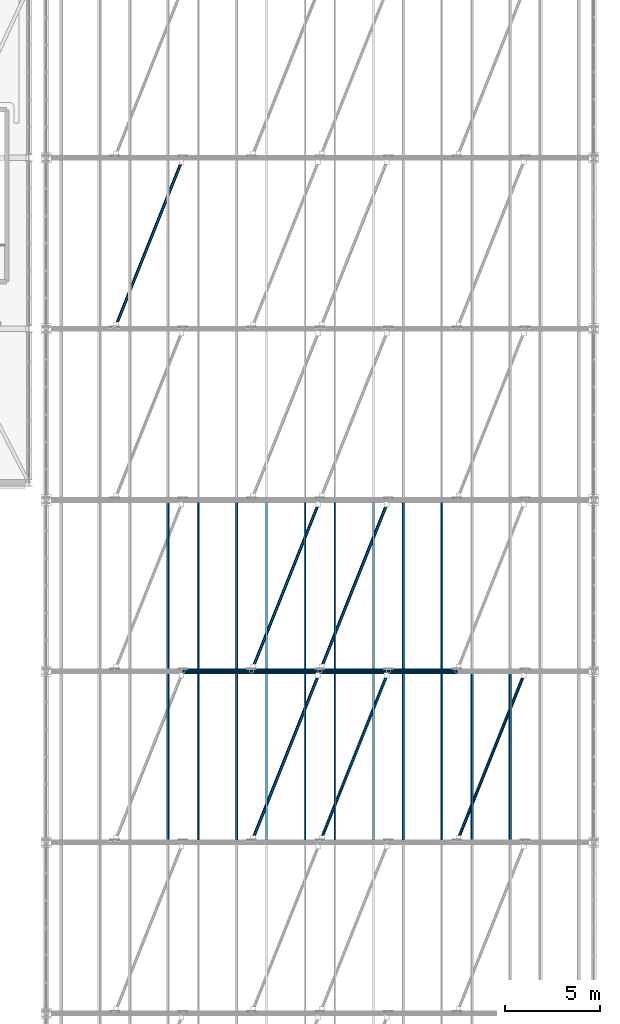
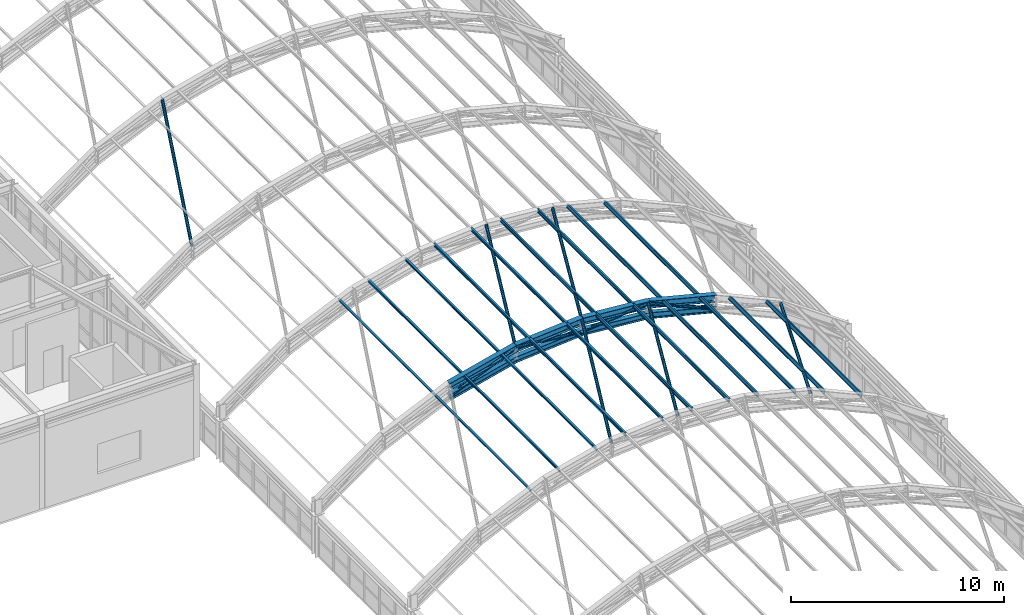
# One storey, part 54 of 121: 34 members, 4 beams.
"""IFC4 building model written with IfcOpenShell, lengths in metres."""

from ifc_helpers import new_model, si_unit, direction, frame, origin, origin_2d, place, context, subcontext, project, spatial, hollow_circle, i_section, extrude, material, material_profile, profile_set, type_object, element, save


model = new_model("IFC4")

# Units and contexts
model_context = context("Model", 3, precision=1e-05, world=origin(), true_north=direction((0.0, 1.0)))
body_context = subcontext(model_context, "Body", "Model", "MODEL_VIEW")
ifc_project = project(units=[si_unit("LENGTHUNIT", "METRE"), si_unit("AREAUNIT", "SQUARE_METRE"), si_unit("VOLUMEUNIT", "CUBIC_METRE"), si_unit("PLANEANGLEUNIT", "RADIAN"), si_unit("MASSUNIT", "GRAM", prefix="KILO")], contexts=[model_context])

# Site, building, storey
site_placement = place(None, origin())
site = spatial("IfcSite", under=ifc_project, at=site_placement, CompositionType="ELEMENT")
building_placement = place(site_placement, origin())
building = spatial("IfcBuilding", under=site, at=building_placement, Name="Canglan Escarpment Cableway Terminal", CompositionType="ELEMENT")
storey_placement = place(building_placement, frame((0.0, 0.0, 24.60009765625)))
storey = spatial("IfcBuildingStorey", under=building, at=storey_placement, Name="L05", CompositionType="ELEMENT", Elevation=24.60009765625)

# Beams
ifc_material = material(Name="Steel Q355B", Category="steel")
ifc_material_profile_1 = material_profile(ifc_material, i_section(OverallWidth=0.300048828125, OverallDepth=0.389892578125, WebThickness=0.010009765625, FlangeThickness=0.01611328125, FilletRadius=0.02197265625, at=origin_2d()), Name="HM 390x300x10x16")
ifc_profile_set_1 = profile_set([ifc_material_profile_1], Name="Steel Q355B")
beam_type = type_object("IfcBeamType", Name="BM-ARCH-TOP-HM390", PredefinedType="BEAM", material=ifc_profile_set_1)
beam_1_placement = place(storey_placement, frame((144.800048828125, 79.0, 7.23828125), z_axis=(0.969179969731, 0.0, 0.246353782743), x_axis=(0.0, 1.0, 0.0)))
element("IfcBeam", 1, at=beam_1_placement, inside=storey, type_object=beam_type, Name="Vault ROOF TRUSS arch top chord AR-TC1", PredefinedType="BEAM", context=body_context, shape_type="SweptSolid", body=[
    extrude(i_section(OverallWidth=0.300048828125, OverallDepth=0.389892578125, WebThickness=0.010009765625, FlangeThickness=0.01611328125, FilletRadius=0.02197265625, at=origin_2d()), origin(), (0.0, 0.0, 1.0), 3.71435546875),
])
for number, where, z_axis, x_axis, name in (
    (2, (148.39990234375, 79.0, 8.1533203125), (0.996622699984, 0.0, 0.082116952426), (0.0, 1.0, 0.0), "Vault ROOF TRUSS arch top chord AR-TC1"),
    (3, (152.0, 79.0, 8.449951171875), (0.996622699984, 0.0, -0.082116952426), (0.0, 1.0, 0.0), "Vault ROOF TRUSS arch top chord AR-TC1"),
):
    element("IfcBeam", number, at=place(storey_placement, frame(where, z_axis=z_axis, x_axis=x_axis)), inside=storey, type_object=beam_type, Name=name, PredefinedType="BEAM", context=body_context, shape_type="SweptSolid", body=[
        extrude(i_section(OverallWidth=0.300048828125, OverallDepth=0.389892578125, WebThickness=0.010009765625, FlangeThickness=0.01611328125, FilletRadius=0.02197265625, at=origin_2d()), origin(), (0.0, 0.0, 1.0), 3.6123046875),
    ])
beam_2_placement = place(storey_placement, frame((155.60009765625, 79.0, 8.1533203125), z_axis=(0.969179969731, 0.0, -0.246353782743), x_axis=(0.0, 1.0, 0.0)))
element("IfcBeam", 4, at=beam_2_placement, inside=storey, type_object=beam_type, Name="Vault ROOF TRUSS arch top chord AR-TC1", PredefinedType="BEAM", context=body_context, shape_type="SweptSolid", body=[
    extrude(i_section(OverallWidth=0.300048828125, OverallDepth=0.389892578125, WebThickness=0.010009765625, FlangeThickness=0.01611328125, FilletRadius=0.02197265625, at=origin_2d()), origin(), (0.0, 0.0, 1.0), 3.71435546875),
])

# Members
ifc_material_profile_2 = material_profile(ifc_material, i_section(OverallWidth=0.25, OverallDepth=0.340087890625, WebThickness=0.009033203125, FlangeThickness=0.013916015625, FilletRadius=0.02001953125, at=origin_2d()), Name="HM 340x250x9x14")
ifc_profile_set_2 = profile_set([ifc_material_profile_2], Name="Steel Q355B")
member_type_1 = type_object("IfcMemberType", Name="MB-ARCH-BOT-HM340", PredefinedType="CHORD", material=ifc_profile_set_2)
member_1_placement = place(storey_placement, frame((144.800048828125, 79.0, 6.58837890625), z_axis=(0.969179969731, 0.0, 0.246353782743), x_axis=(0.0, 1.0, 0.0)))
element("IfcMember", 5, at=member_1_placement, inside=storey, type_object=member_type_1, Name="Vault ROOF TRUSS arch bottom chord AR-BC1", PredefinedType="CHORD", context=body_context, shape_type="SweptSolid", body=[
    extrude(i_section(OverallWidth=0.25, OverallDepth=0.340087890625, WebThickness=0.009033203125, FlangeThickness=0.013916015625, FilletRadius=0.02001953125, at=origin_2d()), origin(), (0.0, 0.0, 1.0), 3.71435546875),
])
for number, where, z_axis, x_axis, name in (
    (6, (148.39990234375, 79.0, 7.50341796875), (0.996628228964, 0.0, 0.082049821644), (0.0, 1.0, 0.0), "Vault ROOF TRUSS arch bottom chord AR-BC1"),
    (7, (152.0, 79.0, 7.7998046875), (0.996628228964, 0.0, -0.082049821644), (0.0, 1.0, 0.0), "Vault ROOF TRUSS arch bottom chord AR-BC1"),
):
    element("IfcMember", number, at=place(storey_placement, frame(where, z_axis=z_axis, x_axis=x_axis)), inside=storey, type_object=member_type_1, Name=name, PredefinedType="CHORD", context=body_context, shape_type="SweptSolid", body=[
        extrude(i_section(OverallWidth=0.25, OverallDepth=0.340087890625, WebThickness=0.009033203125, FlangeThickness=0.013916015625, FilletRadius=0.02001953125, at=origin_2d()), origin(), (0.0, 0.0, 1.0), 3.6123046875),
    ])
member_2_placement = place(storey_placement, frame((155.60009765625, 79.0, 7.50341796875), z_axis=(0.969179969731, 0.0, -0.246353782743), x_axis=(0.0, 1.0, 0.0)))
element("IfcMember", 8, at=member_2_placement, inside=storey, type_object=member_type_1, Name="Vault ROOF TRUSS arch bottom chord AR-BC1", PredefinedType="CHORD", context=body_context, shape_type="SweptSolid", body=[
    extrude(i_section(OverallWidth=0.25, OverallDepth=0.340087890625, WebThickness=0.009033203125, FlangeThickness=0.013916015625, FilletRadius=0.02001953125, at=origin_2d()), origin(), (0.0, 0.0, 1.0), 3.71435546875),
])
ifc_material_profile_3 = material_profile(ifc_material, hollow_circle(Radius=0.084228515625, WallThickness=0.006103515625, at=origin_2d()), Name="CHS 168.3x6")
ifc_profile_set_3 = profile_set([ifc_material_profile_3], Name="Steel Q355B")
member_type_2 = type_object("IfcMemberType", Name="MB-ARCH-DIAG-CHS168", PredefinedType="BRACE", material=ifc_profile_set_3)
member_3_placement = place(storey_placement, frame((144.800048828125, 79.0, 6.58837890625), z_axis=(0.917089831489, 0.0, 0.398680625286), x_axis=(0.0, 1.0, 0.0)))
element("IfcMember", 9, at=member_3_placement, inside=storey, type_object=member_type_2, Name="Vault ROOF TRUSS web diagonal AR-DG1", PredefinedType="BRACE", context=body_context, shape_type="SweptSolid", body=[
    extrude(hollow_circle(Radius=0.084228515625, WallThickness=0.006103515625, at=origin_2d()), origin(), (0.0, 0.0, 1.0), 3.92529296875),
])
for number, where, z_axis, x_axis, name in (
    (10, (148.39990234375, 79.0, 8.1533203125), (0.995213349609, 0.0, -0.097726090481), (0.0, 1.0, 0.0), "Vault ROOF TRUSS web diagonal AR-DG1"),
    (11, (152.0, 79.0, 7.7998046875), (0.995213349609, 0.0, 0.097726090481), (0.0, 1.0, 0.0), "Vault ROOF TRUSS web diagonal AR-DG1"),
):
    element("IfcMember", number, at=place(storey_placement, frame(where, z_axis=z_axis, x_axis=x_axis)), inside=storey, type_object=member_type_2, Name=name, PredefinedType="BRACE", context=body_context, shape_type="SweptSolid", body=[
        extrude(hollow_circle(Radius=0.084228515625, WallThickness=0.006103515625, at=origin_2d()), origin(), (0.0, 0.0, 1.0), 3.617431640625),
    ])
member_4_placement = place(storey_placement, frame((155.60009765625, 79.0, 8.1533203125), z_axis=(0.917089831489, 0.0, -0.398680625286), x_axis=(0.0, 1.0, 0.0)))
element("IfcMember", 12, at=member_4_placement, inside=storey, type_object=member_type_2, Name="Vault ROOF TRUSS web diagonal AR-DG1", PredefinedType="BRACE", context=body_context, shape_type="SweptSolid", body=[
    extrude(hollow_circle(Radius=0.084228515625, WallThickness=0.006103515625, at=origin_2d()), origin(), (0.0, 0.0, 1.0), 3.92529296875),
])
ifc_material_profile_4 = material_profile(ifc_material, hollow_circle(Radius=0.084228515625, WallThickness=0.006103515625, at=origin_2d()), Name="CHS 168.3x6")
ifc_profile_set_4 = profile_set([ifc_material_profile_4], Name="Steel Q355B")
member_type_3 = type_object("IfcMemberType", Name="MB-ROOF-BR-CHS168", PredefinedType="BRACE", material=ifc_profile_set_4)
for number, where, z_axis, x_axis, name in (
    (13, (148.39990234375, 70.0, 8.1533203125), (0.371225584171, 0.928038785765, 0.030587215839), (-0.928473216852, 0.37139936132, 0.0), "Vault roof plane wind brace BR-03"),
    (14, (152.0, 70.0, 8.449951171875), (0.371225584171, 0.928038785765, -0.030587215839), (-0.928473216852, 0.37139936132, 0.0), "Vault roof plane wind brace BR-03"),
):
    element("IfcMember", number, at=place(storey_placement, frame(where, z_axis=z_axis, x_axis=x_axis)), inside=storey, type_object=member_type_3, Name=name, PredefinedType="BRACE", context=body_context, shape_type="SweptSolid", body=[
        extrude(hollow_circle(Radius=0.084228515625, WallThickness=0.006103515625, at=origin_2d()), origin(), (0.0, 0.0, 1.0), 9.69775390625),
    ])
member_5_placement = place(storey_placement, frame((159.199951171875, 70.0, 7.23828125), z_axis=(0.366307573698, 0.915744093096, -0.165019748547), x_axis=(-0.928473216852, 0.37139936132, 0.0)))
element("IfcMember", 15, at=member_5_placement, inside=storey, type_object=member_type_3, Name="Vault roof plane wind brace BR-03", PredefinedType="BRACE", context=body_context, shape_type="SweptSolid", body=[
    extrude(hollow_circle(Radius=0.084228515625, WallThickness=0.006103515625, at=origin_2d()), origin(), (0.0, 0.0, 1.0), 9.828125),
])
for number, where, z_axis, x_axis, name in (
    (16, (148.39990234375, 79.0, 8.1533203125), (0.371225584171, 0.928038785765, 0.030587215839), (-0.928473216852, 0.37139936132, 0.0), "Vault roof plane wind brace BR-03"),
    (17, (152.0, 79.0, 8.449951171875), (0.371225584171, 0.928038785765, -0.030587215839), (-0.928473216852, 0.37139936132, 0.0), "Vault roof plane wind brace BR-03"),
):
    element("IfcMember", number, at=place(storey_placement, frame(where, z_axis=z_axis, x_axis=x_axis)), inside=storey, type_object=member_type_3, Name=name, PredefinedType="BRACE", context=body_context, shape_type="SweptSolid", body=[
        extrude(hollow_circle(Radius=0.084228515625, WallThickness=0.006103515625, at=origin_2d()), origin(), (0.0, 0.0, 1.0), 9.69775390625),
    ])
member_6_placement = place(storey_placement, frame((141.199951171875, 97.0, 5.616455078125), z_axis=(0.366307573698, 0.915744093096, 0.165019748547), x_axis=(-0.928473216852, 0.37139936132, 0.0)))
element("IfcMember", 18, at=member_6_placement, inside=storey, type_object=member_type_3, Name="Vault roof plane wind brace BR-03", PredefinedType="BRACE", context=body_context, shape_type="SweptSolid", body=[
    extrude(hollow_circle(Radius=0.084228515625, WallThickness=0.006103515625, at=origin_2d()), origin(), (0.0, 0.0, 1.0), 9.828125),
])
ifc_material_profile_5 = material_profile(ifc_material, i_section(OverallWidth=0.10009765625, OverallDepth=0.199951171875, WebThickness=0.005615234375, FlangeThickness=0.008056640625, FilletRadius=0.010986328125, at=origin_2d()), Name="HN 200x100x5.5x8")
ifc_profile_set_5 = profile_set([ifc_material_profile_5], Name="Steel Q355B")
member_type_4 = type_object("IfcMemberType", Name="MB-VAULT-PUR-HN200", PredefinedType="PURLIN", material=ifc_profile_set_5)
for number, where, z_axis, x_axis, name in (
    (19, (144.008056640625, 70.0, 6.968017578125), (0.0, 1.0, 0.0), (-0.911740537138, 0.0, -0.410766591799), "Barrel-vault roof purlin PR-01"),
    (20, (145.592041015625, 70.0, 7.533203125), (0.0, 1.0, 0.0), (-0.969183633805, 0.0, -0.246339367468), "Barrel-vault roof purlin PR-01"),
    (21, (147.60791015625, 70.0, 8.045654296875), (0.0, 1.0, 0.0), (-0.969183633805, 0.0, -0.246339367468), "Barrel-vault roof purlin PR-01"),
    (22, (149.19189453125, 70.0, 8.315185546875), (0.0, 1.0, 0.0), (-0.996625936329, 0.0, -0.082077664662), "Barrel-vault roof purlin PR-01"),
    (23, (151.2080078125, 70.0, 8.481201171875), (0.0, 1.0, 0.0), (-0.996625936329, 0.0, -0.082077664662), "Barrel-vault roof purlin PR-01"),
    (24, (152.7919921875, 70.0, 8.481201171875), (0.0, 1.0, 0.0), (-0.996625936329, 0.0, 0.082077664662), "Barrel-vault roof purlin PR-01"),
    (25, (154.80810546875, 70.0, 8.315185546875), (0.0, 1.0, 0.0), (-0.996625936329, 0.0, 0.082077664662), "Barrel-vault roof purlin PR-01"),
    (26, (156.39208984375, 70.0, 8.045654296875), (0.0, 1.0, 0.0), (-0.969183633805, 0.0, 0.246339367468), "Barrel-vault roof purlin PR-01"),
    (27, (158.407958984375, 70.0, 7.533203125), (0.0, 1.0, 0.0), (-0.969183633805, 0.0, 0.246339367468), "Barrel-vault roof purlin PR-01"),
    (28, (159.991943359375, 70.0, 6.968017578125), (0.0, 1.0, 0.0), (-0.911740537138, 0.0, 0.410766591799), "Barrel-vault roof purlin PR-01"),
    (29, (162.008056640625, 70.0, 6.059814453125), (0.0, 1.0, 0.0), (-0.911740537138, 0.0, 0.410766591799), "Barrel-vault roof purlin PR-01"),
    (30, (144.008056640625, 79.0, 6.968017578125), (0.0, 1.0, 0.0), (-0.911740537138, 0.0, -0.410766591799), "Barrel-vault roof purlin PR-01"),
    (31, (145.592041015625, 79.0, 7.533203125), (0.0, 1.0, 0.0), (-0.969183633805, 0.0, -0.246339367468), "Barrel-vault roof purlin PR-01"),
    (32, (147.60791015625, 79.0, 8.045654296875), (0.0, 1.0, 0.0), (-0.969183633805, 0.0, -0.246339367468), "Barrel-vault roof purlin PR-01"),
    (33, (149.19189453125, 79.0, 8.315185546875), (0.0, 1.0, 0.0), (-0.996625936329, 0.0, -0.082077664662), "Barrel-vault roof purlin PR-01"),
    (34, (151.2080078125, 79.0, 8.481201171875), (0.0, 1.0, 0.0), (-0.996625936329, 0.0, -0.082077664662), "Barrel-vault roof purlin PR-01"),
    (35, (152.7919921875, 79.0, 8.481201171875), (0.0, 1.0, 0.0), (-0.996625936329, 0.0, 0.082077664662), "Barrel-vault roof purlin PR-01"),
    (36, (154.80810546875, 79.0, 8.315185546875), (0.0, 1.0, 0.0), (-0.996625936329, 0.0, 0.082077664662), "Barrel-vault roof purlin PR-01"),
    (37, (156.39208984375, 79.0, 8.045654296875), (0.0, 1.0, 0.0), (-0.969183633805, 0.0, 0.246339367468), "Barrel-vault roof purlin PR-01"),
    (38, (158.407958984375, 79.0, 7.533203125), (0.0, 1.0, 0.0), (-0.969183633805, 0.0, 0.246339367468), "Barrel-vault roof purlin PR-01"),
):
    element("IfcMember", number, at=place(storey_placement, frame(where, z_axis=z_axis, x_axis=x_axis)), inside=storey, type_object=member_type_4, Name=name, PredefinedType="PURLIN", context=body_context, shape_type="SweptSolid", body=[
        extrude(i_section(OverallWidth=0.10009765625, OverallDepth=0.199951171875, WebThickness=0.005615234375, FlangeThickness=0.008056640625, FilletRadius=0.010986328125, at=origin_2d()), origin(), (0.0, 0.0, 1.0), 9.0),
    ])

save(model, "model.ifc")
